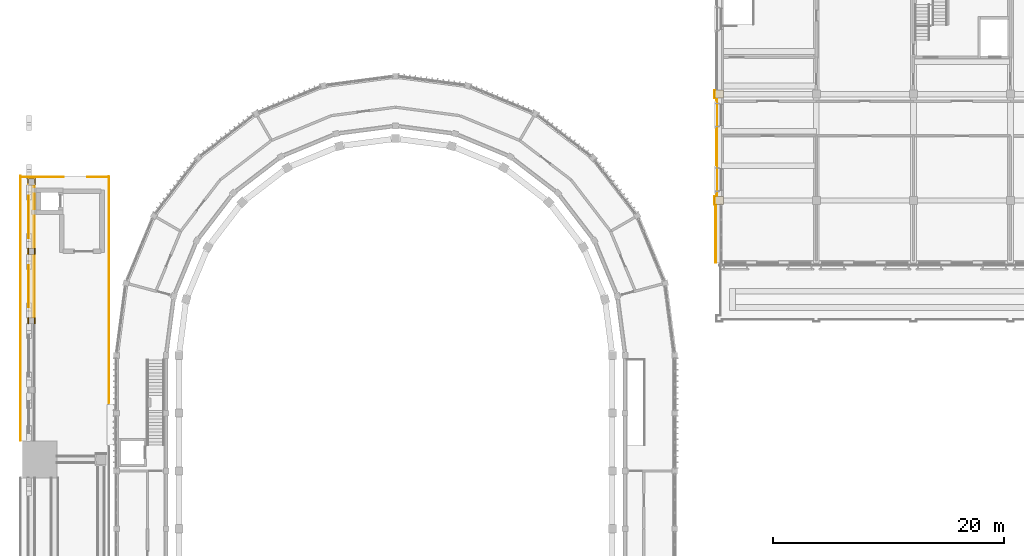
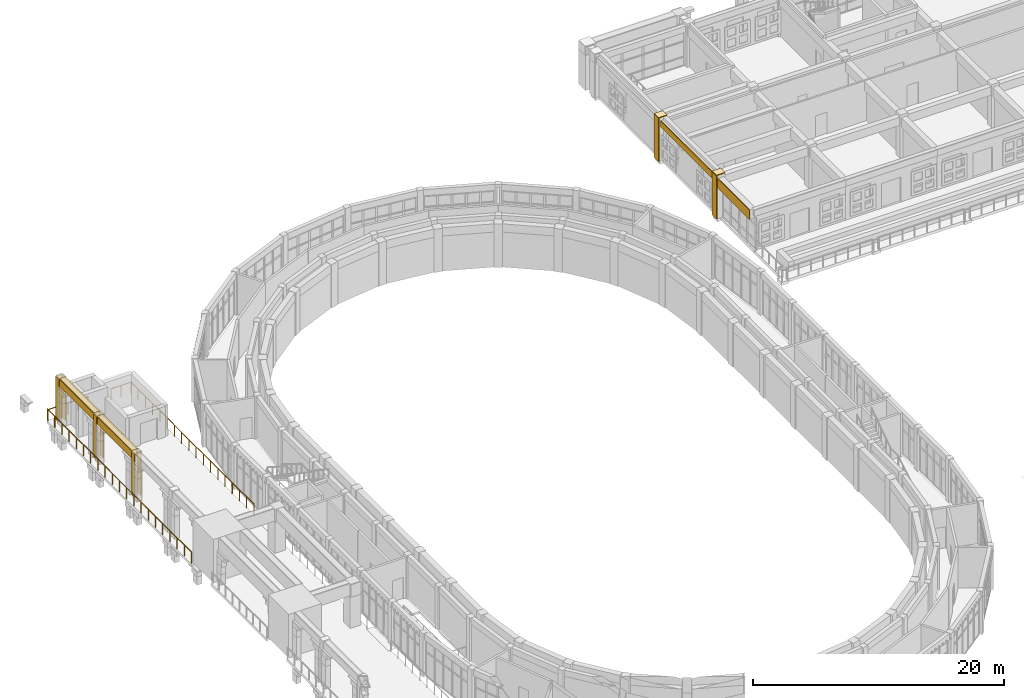
# One storey, part 89 of 99: 17 coverings, 4 railings.
"""IFC4 building model written with IfcOpenShell, lengths in metres."""

import ifcopenshell
import ifcopenshell.guid

model = None  # the IFC model being written
_history = None  # IfcOwnerHistory: only IFC2X3 demands one
_inside = {}  # id of a spatial element -> (the spatial element, [elements in it])
_under = {}  # id of a project, library or spatial element -> (it, [spatial elements below it])
_declared = {}  # id of a project -> (the project, [libraries it declares])
_typed = {}  # id of a type object -> (the type object, [elements of that type])
_made_of = {}  # id of a material, layer set ... -> (it, [elements and type objects made of it])


def new_model(schema):
    """Start an empty IFC model of exactly this schema.

    Asked for "IFC4X3", IfcOpenShell would pick the latest addendum, in which some entities
    have other attributes; the version numbers below select the first issue.
    IFC2X3 requires an IfcOwnerHistory on every rooted entity: one is made here for all.
    """
    global model, _history
    if schema == "IFC4X3":
        model = ifcopenshell.file(schema_version=(4, 3, 0, 0))
    else:
        model = ifcopenshell.file(schema=schema)
    _inside.clear()
    _under.clear()
    _declared.clear()
    _typed.clear()
    _made_of.clear()
    _history = None
    if model.schema == "IFC2X3":
        org = make("IfcOrganization", Name="unknown")
        user = make(
            "IfcPersonAndOrganization",
            ThePerson=make("IfcPerson", FamilyName="unknown"),
            TheOrganization=org,
        )
        app = make(
            "IfcApplication",
            ApplicationDeveloper=org,
            Version="unknown",
            ApplicationFullName="unknown",
            ApplicationIdentifier="unknown",
        )
        _history = make(
            "IfcOwnerHistory",
            OwningUser=user,
            OwningApplication=app,
            ChangeAction="ADDED",
            CreationDate=0,
        )
    return model


def make(cls, **values):
    """One entity of the class cls with the attributes given. An attribute that is None is left unset."""
    return model.create_entity(
        cls, **{name: value for name, value in values.items() if value is not None}
    )


def rooted(cls, **values):
    """An entity with a GlobalId (a new one), such as an element, a storey or a relation."""
    return make(cls, GlobalId=ifcopenshell.guid.new(), OwnerHistory=_history, **values)


def si_unit(unit_type, name, prefix=None):
    """IfcSIUnit, for example si_unit("LENGTHUNIT", "METRE", prefix="MILLI")."""
    return make("IfcSIUnit", UnitType=unit_type, Prefix=prefix, Name=name)


def assignment(units):
    """IfcUnitAssignment: the units of a project."""
    return None if units is None else make("IfcUnitAssignment", Units=units)


def point(xyz):
    """IfcCartesianPoint."""
    return None if xyz is None else make("IfcCartesianPoint", Coordinates=xyz)


def direction(xyz):
    """IfcDirection."""
    return None if xyz is None else make("IfcDirection", DirectionRatios=xyz)


def frame(location, z_axis=None, x_axis=None):
    """IfcAxis2Placement3D, a coordinate frame: its origin and axes. An axis left out is left unset."""
    return make(
        "IfcAxis2Placement3D",
        Location=point(location),
        Axis=direction(z_axis),
        RefDirection=direction(x_axis),
    )


def frame_2d(location, x_axis=None):
    """IfcAxis2Placement2D, a coordinate frame in the plane: its origin and x axis."""
    return make(
        "IfcAxis2Placement2D", Location=point(location), RefDirection=direction(x_axis)
    )


def origin():
    """The frame at (0, 0, 0) with its axes left unset."""
    return frame((0.0, 0.0, 0.0))


def origin_2d():
    """The frame at (0, 0) in the plane with its x axis left unset."""
    return frame_2d((0.0, 0.0))


def place(relative_to, where):
    """IfcLocalPlacement: puts the frame where relative to a parent placement (None: the world)."""
    return make(
        "IfcLocalPlacement", PlacementRelTo=relative_to, RelativePlacement=where
    )


def context(
    kind, dimensions, precision=None, world=None, true_north=None, identifier=None
):
    """IfcGeometricRepresentationContext, for example the 3D "Model" context."""
    return make(
        "IfcGeometricRepresentationContext",
        ContextIdentifier=identifier,
        ContextType=kind,
        CoordinateSpaceDimension=dimensions,
        Precision=precision,
        WorldCoordinateSystem=world,
        TrueNorth=true_north,
    )


def subcontext(parent, identifier, kind, view, scale=None):
    """IfcGeometricRepresentationSubContext, for example "Body" below "Model"."""
    return make(
        "IfcGeometricRepresentationSubContext",
        ContextIdentifier=identifier,
        ContextType=kind,
        ParentContext=parent,
        TargetScale=scale,
        TargetView=view,
    )


def project(units=None, contexts=None):
    """IfcProject with its units and contexts."""
    return rooted(
        "IfcProject",
        Name="project",
        RepresentationContexts=contexts,
        UnitsInContext=assignment(units),
    )


def spatial(cls, under=None, at=None, **own):
    """A site, building, storey or space (cls), placed at a placement, below another one or the project."""
    s = rooted(cls, ObjectPlacement=at, **own)
    if under is not None:
        _under.setdefault(under.id(), (under, []))[1].append(s)
    return s


def polyline(points):
    """IfcPolyline through the points."""
    return make("IfcPolyline", Points=[point(p) for p in points])


def profile(cls, at=None, kind="AREA", **sizes):
    """A parametric profile (cls). Its sizes go by their IFC names, for example OverallWidth=200.0."""
    return make(cls, ProfileType=kind, Position=at, **sizes)


def circle(**sizes):
    """IfcCircleProfileDef."""
    return profile("IfcCircleProfileDef", **sizes)


def outline(outer, holes=None, kind="AREA"):
    """IfcArbitraryClosedProfileDef: a profile drawn as a closed curve; with holes, ...WithVoids."""
    if holes is None:
        return make("IfcArbitraryClosedProfileDef", ProfileType=kind, OuterCurve=outer)
    return make(
        "IfcArbitraryProfileDefWithVoids",
        ProfileType=kind,
        OuterCurve=outer,
        InnerCurves=holes,
    )


def extrude(swept, where, along, depth):
    """IfcExtrudedAreaSolid: the profile swept, set in the frame where, extruded along a direction by depth."""
    return make(
        "IfcExtrudedAreaSolid",
        SweptArea=swept,
        Position=where,
        ExtrudedDirection=direction(along),
        Depth=depth,
    )


def shape(context_of_items, identifier, shape_type, items):
    """IfcShapeRepresentation: the items that make up one representation, for example the "Body"."""
    return make(
        "IfcShapeRepresentation",
        ContextOfItems=context_of_items,
        RepresentationIdentifier=identifier,
        RepresentationType=shape_type,
        Items=items,
    )


def material(Name=None, Category=None):
    """IfcMaterial."""
    return make("IfcMaterial", Name=Name, Category=Category)


def layer(
    of_material, thickness, ventilated=None, Name=None, Category=None, Priority=None
):
    """IfcMaterialLayer: one layer of a wall or slab, of a material (None: an air gap)."""
    return make(
        "IfcMaterialLayer",
        Material=of_material,
        LayerThickness=thickness,
        IsVentilated=ventilated,
        Name=Name,
        Category=Category,
        Priority=Priority,
    )


def layer_set(layers, Name=None):
    """IfcMaterialLayerSet."""
    return make("IfcMaterialLayerSet", MaterialLayers=layers, LayerSetName=Name)


def made_of(thing, what):
    """Note that an element or type object is made of a material, layer set ...; save() writes the relation."""
    if what is not None:
        _made_of.setdefault(what.id(), (what, []))[1].append(thing)
    return thing


def type_object(cls, material=None, **own):
    """A type object (cls), such as IfcWallType, which elements share."""
    return made_of(rooted(cls, **own), material)


def element(
    cls,
    number,
    at=None,
    inside=None,
    cuts=None,
    type_object=None,
    material=None,
    context=None,
    identifier="Body",
    shape_type=None,
    held_by="IfcProductDefinitionShape",
    body=None,
    shapes=None,
    **own,
):
    """One element of the class cls, such as IfcWall. Its Tag is "e" and its number.

    at: its placement. inside: the storey or other place that contains it. cuts: it is an
    opening in that element (IfcRelVoidsElement). A single representation is given by context,
    identifier, shape_type and body (its items); several are given by shapes. held_by: the class
    of the entity that holds the representations. save() writes the other relations.
    """
    e = rooted(cls, Tag="e%d" % number, ObjectPlacement=at, **own)
    if body is not None:
        shapes = [shape(context, identifier, shape_type, body)]
    if shapes is not None:
        e.Representation = make(held_by, Representations=shapes)
    if inside is not None:
        _inside.setdefault(inside.id(), (inside, []))[1].append(e)
    if cuts is not None:
        rooted(
            "IfcRelVoidsElement", RelatingBuildingElement=cuts, RelatedOpeningElement=e
        )
    if type_object is not None:
        _typed.setdefault(type_object.id(), (type_object, []))[1].append(e)
    return made_of(e, material)


def aggregate(whole, parts):
    """IfcRelAggregates: a whole, such as a stair, and the parts it consists of."""
    return rooted("IfcRelAggregates", RelatingObject=whole, RelatedObjects=parts)


def save(model, path):
    """Write the relations noted so far, then the file.

    IfcRelAggregates (storeys below a building ...), IfcRelContainedInSpatialStructure (elements
    in a storey), IfcRelDefinesByType, IfcRelAssociatesMaterial and IfcRelDeclares: one each for
    every whole, place, type object, material and project.
    """
    for whole, parts in _under.values():
        aggregate(whole, parts)
    for where, things in _inside.values():
        rooted(
            "IfcRelContainedInSpatialStructure",
            RelatedElements=things,
            RelatingStructure=where,
        )
    for kind, things in _typed.values():
        rooted("IfcRelDefinesByType", RelatedObjects=things, RelatingType=kind)
    for what, things in _made_of.values():
        rooted("IfcRelAssociatesMaterial", RelatedObjects=things, RelatingMaterial=what)
    for by, libraries in _declared.values():
        rooted("IfcRelDeclares", RelatingContext=by, RelatedDefinitions=libraries)
    model.write(path)


model = new_model("IFC4")

# Units and contexts
model_context = context("Model", 3, precision=1e-05, world=origin(), true_north=direction((0.0, 1.0)))
body_context = subcontext(model_context, "Body", "Model", "MODEL_VIEW")
ifc_project = project(units=[si_unit("LENGTHUNIT", "METRE"), si_unit("AREAUNIT", "SQUARE_METRE"), si_unit("VOLUMEUNIT", "CUBIC_METRE"), si_unit("PLANEANGLEUNIT", "RADIAN"), si_unit("MASSUNIT", "GRAM", prefix="KILO")], contexts=[model_context])

# Site, building, storey
site_placement = place(None, origin())
site = spatial("IfcSite", under=ifc_project, at=site_placement, CompositionType="ELEMENT")
building_placement = place(site_placement, origin())
building = spatial("IfcBuilding", under=site, at=building_placement, Name="Wasatch Bagh Community Centre", CompositionType="ELEMENT")
storey_placement = place(building_placement, frame((0.0, 0.0, 4.199951171875)))
storey = spatial("IfcBuildingStorey", under=building, at=storey_placement, Name="L01", CompositionType="ELEMENT", Elevation=4.199951171875)

# Coverings
ifc_material_1 = material(Name="Cast stone cladding", Category="masonry")
ifc_layer_1 = layer(ifc_material_1, 0.080078125)
ifc_layer_set_1 = layer_set([ifc_layer_1], Name="Cast stone cladding")
covering_type_1 = type_object("IfcCoveringType", Name="CL-B7 beam facing", PredefinedType="CLADDING", material=ifc_layer_set_1)
covering_1_placement = place(storey_placement, frame((0.0, 0.0, 3.5)))
element("IfcCovering", 1, at=covering_1_placement, inside=storey, type_object=covering_type_1, Name="Beam facing", PredefinedType="CLADDING", context=body_context, shape_type="SweptSolid", body=[
    extrude(outline(polyline([(4.300048828125, 68.25), (4.300048828125, 73.75), (4.219970703125, 73.75), (4.219970703125, 68.25), (4.300048828125, 68.25)])), origin(), (0.0, 0.0, 1.0), 0.699951171875),
])
covering_2_placement = place(storey_placement, frame((0.0, 0.0, 3.5)))
element("IfcCovering", 2, at=covering_2_placement, inside=storey, type_object=covering_type_1, Name="Beam facing", PredefinedType="CLADDING", context=body_context, shape_type="SweptSolid", body=[
    extrude(outline(polyline([(4.699951171875, 68.25), (4.699951171875, 73.75), (4.780029296875, 73.75), (4.780029296875, 68.25), (4.699951171875, 68.25)])), origin(), (0.0, 0.0, 1.0), 0.699951171875),
])
covering_3_placement = place(storey_placement, frame((0.0, 0.0, 4.199951171875)))
element("IfcCovering", 3, at=covering_3_placement, inside=storey, type_object=covering_type_1, Name="Beam facing", PredefinedType="CLADDING", context=body_context, shape_type="SweptSolid", body=[
    extrude(outline(polyline([(4.780029296875, 68.25), (4.780029296875, 73.75), (4.219970703125, 73.75), (4.219970703125, 68.25), (4.780029296875, 68.25)])), origin(), (0.0, 0.0, 1.0), 0.080078125),
])
covering_4_placement = place(storey_placement, frame((0.0, 0.0, 3.5)))
element("IfcCovering", 4, at=covering_4_placement, inside=storey, type_object=covering_type_1, Name="Beam facing", PredefinedType="CLADDING", context=body_context, shape_type="SweptSolid", body=[
    extrude(outline(polyline([(4.300048828125, 74.25), (4.300048828125, 79.75), (4.219970703125, 79.75), (4.219970703125, 74.25), (4.300048828125, 74.25)])), origin(), (0.0, 0.0, 1.0), 0.699951171875),
])
covering_5_placement = place(storey_placement, frame((0.0, 0.0, 3.5)))
element("IfcCovering", 5, at=covering_5_placement, inside=storey, type_object=covering_type_1, Name="Beam facing", PredefinedType="CLADDING", context=body_context, shape_type="SweptSolid", body=[
    extrude(outline(polyline([(4.699951171875, 74.25), (4.699951171875, 79.75), (4.780029296875, 79.75), (4.780029296875, 74.25), (4.699951171875, 74.25)])), origin(), (0.0, 0.0, 1.0), 0.699951171875),
])
covering_6_placement = place(storey_placement, frame((0.0, 0.0, 4.199951171875)))
element("IfcCovering", 6, at=covering_6_placement, inside=storey, type_object=covering_type_1, Name="Beam facing", PredefinedType="CLADDING", context=body_context, shape_type="SweptSolid", body=[
    extrude(outline(polyline([(4.780029296875, 74.25), (4.780029296875, 79.75), (4.219970703125, 79.75), (4.219970703125, 74.25), (4.780029296875, 74.25)])), origin(), (0.0, 0.0, 1.0), 0.080078125),
])
covering_7_placement = place(storey_placement, frame((0.0, 0.0, 3.320068359375)))
element("IfcCovering", 7, at=covering_7_placement, inside=storey, type_object=covering_type_1, Name="Beam facing", PredefinedType="CLADDING", context=body_context, shape_type="SweptSolid", body=[
    extrude(outline(polyline([(63.824951171875, 78.75), (63.824951171875, 87.25), (63.7451171875, 87.25), (63.7451171875, 78.75), (63.824951171875, 78.75)])), origin(), (0.0, 0.0, 1.0), 0.60009765625),
])
covering_8_placement = place(storey_placement, frame((0.0, 0.0, 3.02001953125)))
element("IfcCovering", 8, at=covering_8_placement, inside=storey, type_object=covering_type_1, Name="Beam facing", PredefinedType="CLADDING", context=body_context, shape_type="SweptSolid", body=[
    extrude(outline(polyline([(63.75, 78.050048828125), (63.75, 73.0), (63.669921875, 73.0), (63.669921875, 78.050048828125), (63.75, 78.050048828125)])), origin(), (0.0, 0.0, 1.0), 0.900146484375),
])
ifc_layer_2 = layer(ifc_material_1, 0.080078125)
ifc_layer_set_2 = layer_set([ifc_layer_2], Name="Cast stone cladding")
covering_type_2 = type_object("IfcCoveringType", Name="CL-C1 column facing", PredefinedType="CLADDING", material=ifc_layer_set_2)
covering_9_placement = place(storey_placement, origin())
element("IfcCovering", 9, at=covering_9_placement, inside=storey, type_object=covering_type_2, Name="Column facing", PredefinedType="CLADDING", context=body_context, shape_type="SweptSolid", body=[
    extrude(outline(polyline([(4.75, 68.25), (4.830078125, 68.25), (4.830078125, 67.75), (4.75, 67.75), (4.75, 68.25)])), origin(), (0.0, 0.0, 1.0), 4.199951171875),
])
covering_10_placement = place(storey_placement, origin())
element("IfcCovering", 10, at=covering_10_placement, inside=storey, type_object=covering_type_2, Name="Column facing", PredefinedType="CLADDING", context=body_context, shape_type="SweptSolid", body=[
    extrude(outline(polyline([(4.25, 67.75), (4.169921875, 67.75), (4.169921875, 68.25), (4.25, 68.25), (4.25, 67.75)])), origin(), (0.0, 0.0, 1.0), 4.199951171875),
])
covering_11_placement = place(storey_placement, origin())
element("IfcCovering", 11, at=covering_11_placement, inside=storey, type_object=covering_type_2, Name="Column facing", PredefinedType="CLADDING", context=body_context, shape_type="SweptSolid", body=[
    extrude(outline(polyline([(4.75, 74.25), (4.830078125, 74.25), (4.830078125, 73.75), (4.75, 73.75), (4.75, 74.25)])), origin(), (0.0, 0.0, 1.0), 4.199951171875),
])
covering_12_placement = place(storey_placement, origin())
element("IfcCovering", 12, at=covering_12_placement, inside=storey, type_object=covering_type_2, Name="Column facing", PredefinedType="CLADDING", context=body_context, shape_type="SweptSolid", body=[
    extrude(outline(polyline([(4.25, 73.75), (4.169921875, 73.75), (4.169921875, 74.25), (4.25, 74.25), (4.25, 73.75)])), origin(), (0.0, 0.0, 1.0), 4.199951171875),
])
covering_13_placement = place(storey_placement, origin())
element("IfcCovering", 13, at=covering_13_placement, inside=storey, type_object=covering_type_2, Name="Column facing", PredefinedType="CLADDING", context=body_context, shape_type="SweptSolid", body=[
    extrude(outline(polyline([(4.169921875, 79.75), (4.169921875, 80.330078125), (4.830078125, 80.330078125), (4.830078125, 79.75), (4.75, 79.75), (4.75, 80.25), (4.25, 80.25), (4.25, 79.75), (4.169921875, 79.75)])), origin(), (0.0, 0.0, 1.0), 4.199951171875),
])
covering_14_placement = place(storey_placement, origin())
element("IfcCovering", 14, at=covering_14_placement, inside=storey, type_object=covering_type_2, Name="Column facing", PredefinedType="CLADDING", context=body_context, shape_type="SweptSolid", body=[
    extrude(outline(polyline([(63.64990234375, 87.949951171875), (63.64990234375, 87.25), (63.570068359375, 87.25), (63.570068359375, 87.949951171875), (63.64990234375, 87.949951171875)])), origin(), (0.0, 0.0, 1.0), 4.199951171875),
])
covering_15_placement = place(storey_placement, frame((0.0, 0.0, 4.199951171875)))
element("IfcCovering", 15, at=covering_15_placement, inside=storey, type_object=covering_type_2, Name="Column facing", PredefinedType="CLADDING", context=body_context, shape_type="SweptSolid", body=[
    extrude(outline(polyline([(63.570068359375, 87.25), (63.570068359375, 87.949951171875), (64.35009765625, 87.949951171875), (64.35009765625, 87.25), (63.570068359375, 87.25)])), origin(), (0.0, 0.0, 1.0), 0.080078125),
])
covering_16_placement = place(storey_placement, origin())
element("IfcCovering", 16, at=covering_16_placement, inside=storey, type_object=covering_type_2, Name="Column facing", PredefinedType="CLADDING", context=body_context, shape_type="SweptSolid", body=[
    extrude(outline(polyline([(63.64990234375, 78.75), (63.64990234375, 78.050048828125), (63.570068359375, 78.050048828125), (63.570068359375, 78.75), (63.64990234375, 78.75)])), origin(), (0.0, 0.0, 1.0), 4.199951171875),
])
covering_17_placement = place(storey_placement, frame((0.0, 0.0, 4.199951171875)))
element("IfcCovering", 17, at=covering_17_placement, inside=storey, type_object=covering_type_2, Name="Column facing", PredefinedType="CLADDING", context=body_context, shape_type="SweptSolid", body=[
    extrude(outline(polyline([(63.570068359375, 78.050048828125), (63.570068359375, 78.75), (64.35009765625, 78.75), (64.35009765625, 78.050048828125), (63.570068359375, 78.050048828125)])), origin(), (0.0, 0.0, 1.0), 0.080078125),
])

# Railings
ifc_material_2 = material(Name="ASTM A36 steel plate", Category="steel")
railing_type = type_object("IfcRailingType", Name="CT-G1", PredefinedType="GUARDRAIL", material=ifc_material_2)
railing_1_placement = place(storey_placement, frame((3.56005859375, 57.6201171875, 0.0)))
element("IfcRailing", 18, at=railing_1_placement, inside=storey, type_object=railing_type, Name="GUARD 3", PredefinedType="GUARDRAIL", context=body_context, shape_type="SweptSolid", body=[
    extrude(circle(Radius=0.02392578125, at=origin_2d()), frame((0.0, 0.0, 1.076171875), z_axis=(0.0, 1.0, 0.0), x_axis=(-1.0, 0.0, 0.0)), (0.0, 0.0, 1.0), 22.89990234375),
    extrude(circle(Radius=0.02099609375, at=origin_2d()), origin(), (0.0, 0.0, 1.0), 1.052001953125),
    extrude(circle(Radius=0.02099609375, at=origin_2d()), frame((0.0, 1.14501953125, 0.0)), (0.0, 0.0, 1.0), 1.052001953125),
    extrude(circle(Radius=0.02099609375, at=origin_2d()), frame((0.0, 2.2900390625, 0.0)), (0.0, 0.0, 1.0), 1.052001953125),
    extrude(circle(Radius=0.02099609375, at=origin_2d()), frame((0.0, 3.43505859375, 0.0)), (0.0, 0.0, 1.0), 1.052001953125),
    extrude(circle(Radius=0.02099609375, at=origin_2d()), frame((0.0, 4.580078125, 0.0)), (0.0, 0.0, 1.0), 1.052001953125),
    extrude(circle(Radius=0.02099609375, at=origin_2d()), frame((0.0, 5.72509765625, 0.0)), (0.0, 0.0, 1.0), 1.052001953125),
    extrude(circle(Radius=0.02099609375, at=origin_2d()), frame((0.0, 6.869873046875, 0.0)), (0.0, 0.0, 1.0), 1.052001953125),
    extrude(circle(Radius=0.02099609375, at=origin_2d()), frame((0.0, 8.014892578125, 0.0)), (0.0, 0.0, 1.0), 1.052001953125),
    extrude(circle(Radius=0.02099609375, at=origin_2d()), frame((0.0, 9.159912109375, 0.0)), (0.0, 0.0, 1.0), 1.052001953125),
    extrude(circle(Radius=0.02099609375, at=origin_2d()), frame((0.0, 10.304931640625, 0.0)), (0.0, 0.0, 1.0), 1.052001953125),
    extrude(circle(Radius=0.02099609375, at=origin_2d()), frame((0.0, 11.449951171875, 0.0)), (0.0, 0.0, 1.0), 1.052001953125),
    extrude(circle(Radius=0.02099609375, at=origin_2d()), frame((0.0, 12.594970703125, 0.0)), (0.0, 0.0, 1.0), 1.052001953125),
    extrude(circle(Radius=0.02099609375, at=origin_2d()), frame((0.0, 13.739990234375, 0.0)), (0.0, 0.0, 1.0), 1.052001953125),
    extrude(circle(Radius=0.02099609375, at=origin_2d()), frame((0.0, 14.885009765625, 0.0)), (0.0, 0.0, 1.0), 1.052001953125),
    extrude(circle(Radius=0.02099609375, at=origin_2d()), frame((0.0, 16.030029296875, 0.0)), (0.0, 0.0, 1.0), 1.052001953125),
    extrude(circle(Radius=0.02099609375, at=origin_2d()), frame((0.0, 17.1748046875, 0.0)), (0.0, 0.0, 1.0), 1.052001953125),
    extrude(circle(Radius=0.02099609375, at=origin_2d()), frame((0.0, 18.31982421875, 0.0)), (0.0, 0.0, 1.0), 1.052001953125),
    extrude(circle(Radius=0.02099609375, at=origin_2d()), frame((0.0, 19.46484375, 0.0)), (0.0, 0.0, 1.0), 1.052001953125),
    extrude(circle(Radius=0.02099609375, at=origin_2d()), frame((0.0, 20.60986328125, 0.0)), (0.0, 0.0, 1.0), 1.052001953125),
    extrude(circle(Radius=0.02099609375, at=origin_2d()), frame((0.0, 21.7548828125, 0.0)), (0.0, 0.0, 1.0), 1.052001953125),
    extrude(circle(Radius=0.02099609375, at=origin_2d()), frame((0.0, 22.89990234375, 0.0)), (0.0, 0.0, 1.0), 1.052001953125),
])
railing_2_placement = place(storey_placement, frame((3.56005859375, 80.43994140625, 0.0)))
element("IfcRailing", 19, at=railing_2_placement, inside=storey, type_object=railing_type, Name="GUARD 6", PredefinedType="GUARDRAIL", context=body_context, shape_type="SweptSolid", body=[
    extrude(circle(Radius=0.02392578125, at=origin_2d()), frame((0.0, 0.0, 1.076171875), z_axis=(1.0, 0.0, 0.0), x_axis=(0.0, 1.0, 0.0)), (0.0, 0.0, 1.0), 3.68994140625),
    extrude(circle(Radius=0.02099609375, at=origin_2d()), origin(), (0.0, 0.0, 1.0), 1.052001953125),
    extrude(circle(Radius=0.02099609375, at=origin_2d()), frame((0.92236328125, 0.0, 0.0)), (0.0, 0.0, 1.0), 1.052001953125),
    extrude(circle(Radius=0.02099609375, at=origin_2d()), frame((1.844970703125, 0.0, 0.0)), (0.0, 0.0, 1.0), 1.052001953125),
    extrude(circle(Radius=0.02099609375, at=origin_2d()), frame((2.767578125, 0.0, 0.0)), (0.0, 0.0, 1.0), 1.052001953125),
    extrude(circle(Radius=0.02099609375, at=origin_2d()), frame((3.68994140625, 0.0, 0.0)), (0.0, 0.0, 1.0), 1.052001953125),
])
railing_3_placement = place(storey_placement, frame((9.35009765625, 80.43994140625, 0.0)))
element("IfcRailing", 20, at=railing_3_placement, inside=storey, type_object=railing_type, Name="GUARD 7", PredefinedType="GUARDRAIL", context=body_context, shape_type="SweptSolid", body=[
    extrude(circle(Radius=0.02392578125, at=origin_2d()), frame((0.0, 0.0, 1.076171875), z_axis=(1.0, 0.0, 0.0), x_axis=(0.0, 1.0, 0.0)), (0.0, 0.0, 1.0), 1.83984375),
    extrude(circle(Radius=0.02099609375, at=origin_2d()), origin(), (0.0, 0.0, 1.0), 1.052001953125),
    extrude(circle(Radius=0.02099609375, at=origin_2d()), frame((0.919921875, 0.0, 0.0)), (0.0, 0.0, 1.0), 1.052001953125),
    extrude(circle(Radius=0.02099609375, at=origin_2d()), frame((1.83984375, 0.0, 0.0)), (0.0, 0.0, 1.0), 1.052001953125),
])
railing_4_placement = place(storey_placement, frame((11.18994140625, 60.89990234375, 0.0)))
element("IfcRailing", 21, at=railing_4_placement, inside=storey, type_object=railing_type, Name="GUARD 10", PredefinedType="GUARDRAIL", context=body_context, shape_type="SweptSolid", body=[
    extrude(circle(Radius=0.02392578125, at=origin_2d()), frame((0.0, 0.0, 1.076171875), z_axis=(0.0, 1.0, 0.0), x_axis=(-1.0, 0.0, 0.0)), (0.0, 0.0, 1.0), 19.56005859375),
    extrude(circle(Radius=0.02099609375, at=origin_2d()), origin(), (0.0, 0.0, 1.0), 1.052001953125),
    extrude(circle(Radius=0.02099609375, at=origin_2d()), frame((0.0, 1.150634765625, 0.0)), (0.0, 0.0, 1.0), 1.052001953125),
    extrude(circle(Radius=0.02099609375, at=origin_2d()), frame((0.0, 2.30126953125, 0.0)), (0.0, 0.0, 1.0), 1.052001953125),
    extrude(circle(Radius=0.02099609375, at=origin_2d()), frame((0.0, 3.45166015625, 0.0)), (0.0, 0.0, 1.0), 1.052001953125),
    extrude(circle(Radius=0.02099609375, at=origin_2d()), frame((0.0, 4.602294921875, 0.0)), (0.0, 0.0, 1.0), 1.052001953125),
    extrude(circle(Radius=0.02099609375, at=origin_2d()), frame((0.0, 5.7529296875, 0.0)), (0.0, 0.0, 1.0), 1.052001953125),
    extrude(circle(Radius=0.02099609375, at=origin_2d()), frame((0.0, 6.903564453125, 0.0)), (0.0, 0.0, 1.0), 1.052001953125),
    extrude(circle(Radius=0.02099609375, at=origin_2d()), frame((0.0, 8.05419921875, 0.0)), (0.0, 0.0, 1.0), 1.052001953125),
    extrude(circle(Radius=0.02099609375, at=origin_2d()), frame((0.0, 9.204833984375, 0.0)), (0.0, 0.0, 1.0), 1.052001953125),
    extrude(circle(Radius=0.02099609375, at=origin_2d()), frame((0.0, 10.355224609375, 0.0)), (0.0, 0.0, 1.0), 1.052001953125),
    extrude(circle(Radius=0.02099609375, at=origin_2d()), frame((0.0, 11.505859375, 0.0)), (0.0, 0.0, 1.0), 1.052001953125),
    extrude(circle(Radius=0.02099609375, at=origin_2d()), frame((0.0, 12.656494140625, 0.0)), (0.0, 0.0, 1.0), 1.052001953125),
    extrude(circle(Radius=0.02099609375, at=origin_2d()), frame((0.0, 13.80712890625, 0.0)), (0.0, 0.0, 1.0), 1.052001953125),
    extrude(circle(Radius=0.02099609375, at=origin_2d()), frame((0.0, 14.957763671875, 0.0)), (0.0, 0.0, 1.0), 1.052001953125),
    extrude(circle(Radius=0.02099609375, at=origin_2d()), frame((0.0, 16.1083984375, 0.0)), (0.0, 0.0, 1.0), 1.052001953125),
    extrude(circle(Radius=0.02099609375, at=origin_2d()), frame((0.0, 17.2587890625, 0.0)), (0.0, 0.0, 1.0), 1.052001953125),
    extrude(circle(Radius=0.02099609375, at=origin_2d()), frame((0.0, 18.409423828125, 0.0)), (0.0, 0.0, 1.0), 1.052001953125),
    extrude(circle(Radius=0.02099609375, at=origin_2d()), frame((0.0, 19.56005859375, 0.0)), (0.0, 0.0, 1.0), 1.052001953125),
])

save(model, "model.ifc")
